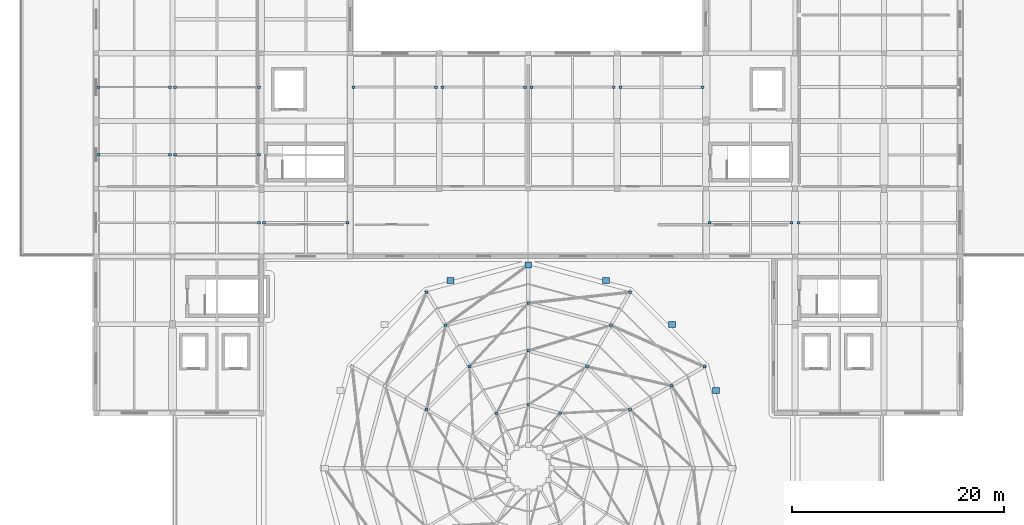
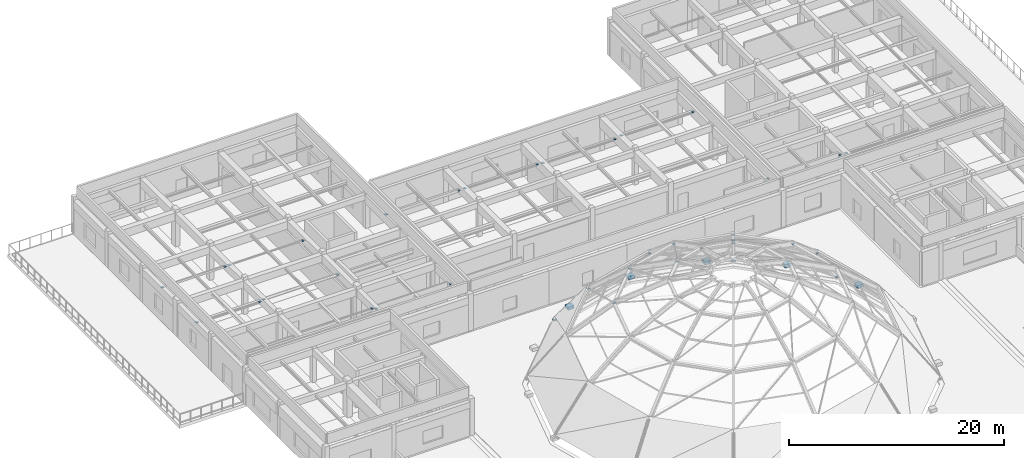
# One storey, part 16 of 18: 42 discrete accessories.
"""IFC4 building model written with IfcOpenShell, lengths in metres."""

from ifc_helpers import new_model, si_unit, direction, frame, origin, origin_2d, place, context, subcontext, project, spatial, rectangle, extrude, material, type_object, element, save


model = new_model("IFC4")

# Units and contexts
model_context = context("Model", 3, precision=1e-05, world=origin(), true_north=direction((0.0, 1.0)))
body_context = subcontext(model_context, "Body", "Model", "MODEL_VIEW")
ifc_project = project(units=[si_unit("LENGTHUNIT", "METRE"), si_unit("AREAUNIT", "SQUARE_METRE"), si_unit("VOLUMEUNIT", "CUBIC_METRE"), si_unit("PLANEANGLEUNIT", "RADIAN"), si_unit("MASSUNIT", "GRAM", prefix="KILO")], contexts=[model_context])

# Site, building, storey
site_placement = place(None, origin())
site = spatial("IfcSite", under=ifc_project, at=site_placement, CompositionType="ELEMENT")
building_placement = place(site_placement, origin())
building = spatial("IfcBuilding", under=site, at=building_placement, Name="Korsvaeld Concert Hall", CompositionType="ELEMENT")
storey_placement = place(building_placement, frame((0.0, 0.0, 17.39990234375)))
storey = spatial("IfcBuildingStorey", under=building, at=storey_placement, Name="L04", CompositionType="ELEMENT", Elevation=17.39990234375)

# Discrete accessories
ifc_material = material(Name="Steel S355J2", Category="steel")
discrete_accessory_type_1 = type_object("IfcDiscreteAccessoryType", Name="ACC-GUSSET-S355", PredefinedType="BRACKET", material=ifc_material)
for number, where, z_axis, x_axis, name in (
    (1, (58.574951171875, 86.39990234375, 3.457763671875), (0.0, 0.0, 1.0), (1.0, 0.0, 0.0), "Brace and strut S355J2 gusset end-plate 004"),
    (2, (59.02490234375, 86.39990234375, 3.28759765625), (0.0, 0.0, 1.0), (1.0, 0.0, 0.0), "Brace and strut S355J2 gusset end-plate 005"),
    (3, (66.949951171875, 86.39990234375, 3.28759765625), (0.0, 0.0, 1.0), (1.0, 0.0, 0.0), "Brace and strut S355J2 gusset end-plate 006"),
    (4, (101.10009765625, 86.39990234375, 3.32763671875), (0.0, 0.0, 1.0), (1.0, 0.0, 0.0), "Brace and strut S355J2 gusset end-plate 007"),
    (5, (108.875, 86.39990234375, 3.32763671875), (0.0, 0.0, 1.0), (1.0, 0.0, 0.0), "Brace and strut S355J2 gusset end-plate 008"),
    (6, (109.52490234375, 86.39990234375, 3.277587890625), (0.0, 0.0, 1.0), (1.0, 0.0, 0.0), "Brace and strut S355J2 gusset end-plate 009"),
    (7, (43.425048828125, 92.800048828125, 3.3076171875), (0.0, 0.0, 1.0), (1.0, 0.0, 0.0), "Brace and strut S355J2 gusset end-plate 013"),
    (8, (50.175048828125, 92.800048828125, 3.3076171875), (0.0, 0.0, 1.0), (1.0, 0.0, 0.0), "Brace and strut S355J2 gusset end-plate 014"),
    (9, (50.625, 92.800048828125, 3.4111328125), (0.0, 0.0, 1.0), (1.0, 0.0, 0.0), "Brace and strut S355J2 gusset end-plate 015"),
    (10, (58.550048828125, 92.800048828125, 3.4111328125), (0.0, 0.0, 1.0), (1.0, 0.0, 0.0), "Brace and strut S355J2 gusset end-plate 016"),
    (11, (43.425048828125, 99.199951171875, 3.417724609375), (0.0, 0.0, 1.0), (1.0, 0.0, 0.0), "Brace and strut S355J2 gusset end-plate 017"),
    (12, (50.14990234375, 99.199951171875, 3.417724609375), (0.0, 0.0, 1.0), (1.0, 0.0, 0.0), "Brace and strut S355J2 gusset end-plate 018"),
    (13, (50.64990234375, 99.199951171875, 3.427734375), (0.0, 0.0, 1.0), (1.0, 0.0, 0.0), "Brace and strut S355J2 gusset end-plate 019"),
    (14, (58.550048828125, 99.199951171875, 3.427734375), (0.0, 0.0, 1.0), (1.0, 0.0, 0.0), "Brace and strut S355J2 gusset end-plate 020"),
    (15, (67.47509765625, 99.199951171875, 3.277587890625), (0.0, 0.0, 1.0), (1.0, 0.0, 0.0), "Brace and strut S355J2 gusset end-plate 021"),
    (16, (75.300048828125, 99.199951171875, 3.277587890625), (0.0, 0.0, 1.0), (1.0, 0.0, 0.0), "Brace and strut S355J2 gusset end-plate 022"),
    (17, (75.89990234375, 99.199951171875, 3.28759765625), (0.0, 0.0, 1.0), (1.0, 0.0, 0.0), "Brace and strut S355J2 gusset end-plate 023"),
    (18, (83.699951171875, 99.199951171875, 3.28759765625), (0.0, 0.0, 1.0), (1.0, 0.0, 0.0), "Brace and strut S355J2 gusset end-plate 024"),
    (19, (84.300048828125, 99.199951171875, 3.2275390625), (0.0, 0.0, 1.0), (1.0, 0.0, 0.0), "Brace and strut S355J2 gusset end-plate 025"),
    (20, (92.074951171875, 99.199951171875, 3.2275390625), (0.0, 0.0, 1.0), (1.0, 0.0, 0.0), "Brace and strut S355J2 gusset end-plate 026"),
    (21, (92.72509765625, 99.199951171875, 3.397705078125), (0.0, 0.0, 1.0), (1.0, 0.0, 0.0), "Brace and strut S355J2 gusset end-plate 027"),
    (22, (100.449951171875, 99.199951171875, 3.397705078125), (0.0, 0.0, 1.0), (1.0, 0.0, 0.0), "Brace and strut S355J2 gusset end-plate 028"),
    (23, (97.510009765625, 71.0, 5.437744140625), (0.0, 0.0, 1.0), (1.0, 0.0, 0.0), "Brace and strut S355J2 gusset end-plate 057"),
    (24, (93.61279296875, 68.75, 9.237548828125), (0.0, 0.0, 1.0), (1.0, 0.0, 0.0), "Brace and strut S355J2 gusset end-plate 059"),
    (25, (100.627685546875, 72.800048828125, 0.587646484375), (0.0, 0.0, 1.0), (1.0, 0.0, 0.0), "Brace and strut S355J2 gusset end-plate 063"),
    (26, (91.800048828125, 76.7099609375, 5.437744140625), (0.0, 0.0, 1.0), (1.0, 0.0, 0.0), "Brace and strut S355J2 gusset end-plate 064"),
    (27, (89.550048828125, 72.81298828125, 9.237548828125), (0.0, 0.0, 1.0), (1.0, 0.0, 0.0), "Brace and strut S355J2 gusset end-plate 065"),
    (28, (87.0, 68.396240234375, 11.837646484375), (0.0, 0.0, 1.0), (1.0, 0.0, 0.0), "Brace and strut S355J2 gusset end-plate 066"),
    (29, (93.60009765625, 79.82763671875, 0.587646484375), (0.0, 0.0, 1.0), (1.0, 0.0, 0.0), "Brace and strut S355J2 gusset end-plate 067"),
    (30, (84.0, 78.800048828125, 5.437744140625), (0.0, 0.0, 1.0), (1.0, 0.0, 0.0), "Brace and strut S355J2 gusset end-plate 068"),
    (31, (84.0, 74.300048828125, 9.237548828125), (0.0, 0.0, 1.0), (1.0, 0.0, 0.0), "Brace and strut S355J2 gusset end-plate 069"),
    (32, (84.0, 69.199951171875, 11.837646484375), (0.0, 0.0, 1.0), (1.0, 0.0, 0.0), "Brace and strut S355J2 gusset end-plate 070"),
    (33, (76.199951171875, 76.7099609375, 5.437744140625), (0.0, 0.0, 1.0), (1.0, 0.0, 0.0), "Brace and strut S355J2 gusset end-plate 071"),
    (34, (78.449951171875, 72.81298828125, 9.237548828125), (0.0, 0.0, 1.0), (1.0, 0.0, 0.0), "Brace and strut S355J2 gusset end-plate 072"),
    (35, (81.0, 68.396240234375, 11.837646484375), (0.0, 0.0, 1.0), (1.0, 0.0, 0.0), "Brace and strut S355J2 gusset end-plate 073"),
    (36, (74.39990234375, 79.82763671875, 0.587646484375), (0.0, 0.0, 1.0), (1.0, 0.0, 0.0), "Brace and strut S355J2 gusset end-plate 074"),
    (37, (74.38720703125, 68.75, 9.237548828125), (0.0, 0.0, 1.0), (1.0, 0.0, 0.0), "Brace and strut S355J2 gusset end-plate 076"),
):
    element("IfcDiscreteAccessory", number, at=place(storey_placement, frame(where, z_axis=z_axis, x_axis=x_axis)), inside=storey, type_object=discrete_accessory_type_1, Name=name, PredefinedType="BRACKET", context=body_context, shape_type="SweptSolid", body=[
        extrude(rectangle(XDim=0.280029296875, YDim=0.25, at=origin_2d()), origin(), (0.0, 0.0, 1.0), 0.02490234375),
    ])
discrete_accessory_type_2 = type_object("IfcDiscreteAccessoryType", Name="ACC-SHOE-RING", PredefinedType="SHOE", material=ifc_material)
for number, where, z_axis, x_axis, name in (
    (38, (101.738525390625, 70.547607421875, 0.47509765625), (0.0, 0.0, 1.0), (1.0, 0.0, 0.0), "Dome ring bearing shoe ND-RING1-02"),
    (39, (97.576416015625, 76.776611328125, 0.47509765625), (0.0, 0.0, 1.0), (1.0, 0.0, 0.0), "Dome ring bearing shoe ND-RING1-03"),
    (40, (91.347412109375, 80.9384765625, 0.47509765625), (0.0, 0.0, 1.0), (1.0, 0.0, 0.0), "Dome ring bearing shoe ND-RING1-04"),
    (41, (84.0, 82.39990234375, 0.47509765625), (0.0, 0.0, 1.0), (1.0, 0.0, 0.0), "Dome ring bearing shoe ND-RING1-05"),
    (42, (76.652587890625, 80.9384765625, 0.47509765625), (0.0, 0.0, 1.0), (1.0, 0.0, 0.0), "Dome ring bearing shoe ND-RING1-06"),
):
    element("IfcDiscreteAccessory", number, at=place(storey_placement, frame(where, z_axis=z_axis, x_axis=x_axis)), inside=storey, type_object=discrete_accessory_type_2, Name=name, PredefinedType="SHOE", context=body_context, shape_type="SweptSolid", body=[
        extrude(rectangle(XDim=0.64990234375, YDim=0.550048828125, at=origin_2d()), origin(), (0.0, 0.0, 1.0), 0.35009765625),
    ])

save(model, "model.ifc")
